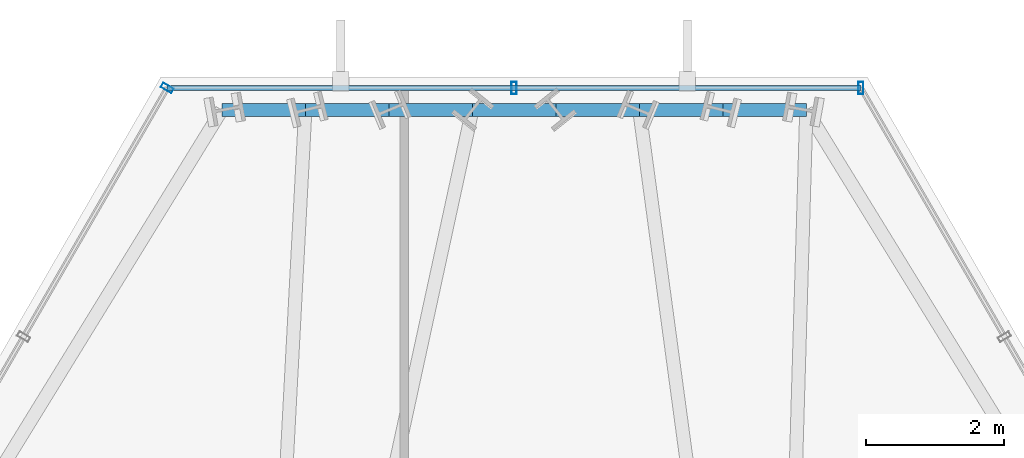
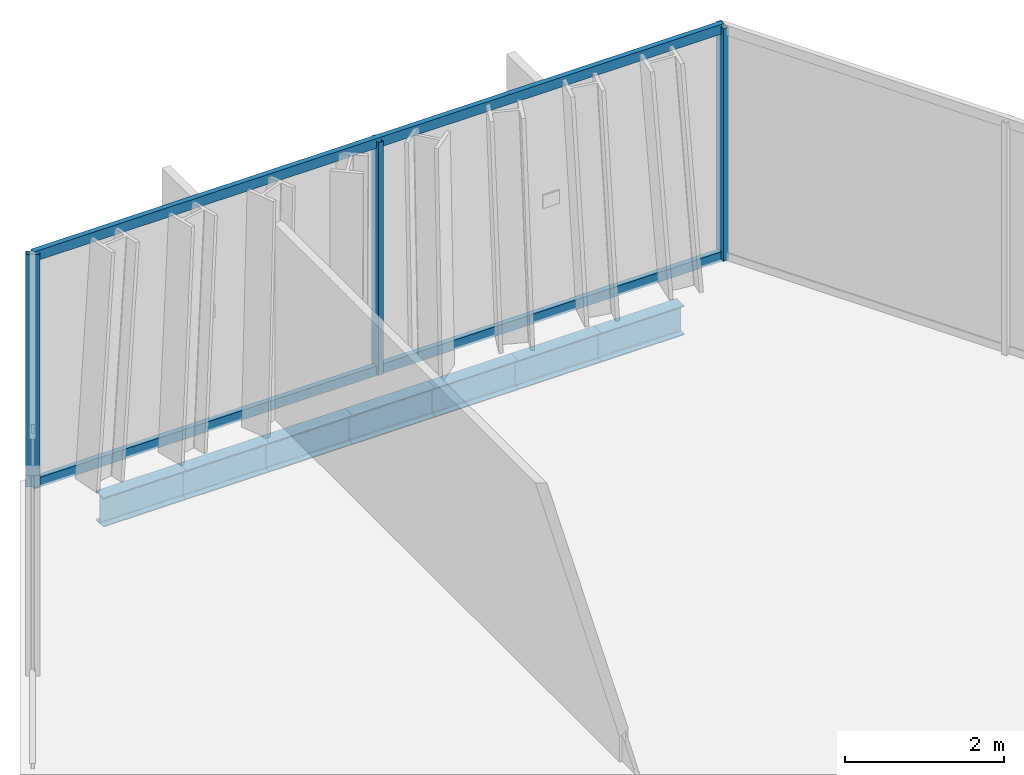
# One storey, part 25 of 35: 7 beams, 5 members, 2 elements without a shape of their own.
"""IFC4 building model written with IfcOpenShell, lengths in metres."""

from ifc_helpers import new_model, si_unit, direction, frame, origin, origin_2d, place, context, subcontext, project, spatial, hollow_rectangle, i_section, extrude, material, layer, layer_set, material_profile, profile_set, type_object, element, aggregate, save


model = new_model("IFC4")

# Units and contexts
model_context = context("Model", 3, precision=1e-05, world=origin(), true_north=direction((0.0, 1.0)))
body_context = subcontext(model_context, "Body", "Model", "MODEL_VIEW")
ifc_project = project(units=[si_unit("LENGTHUNIT", "METRE"), si_unit("AREAUNIT", "SQUARE_METRE"), si_unit("VOLUMEUNIT", "CUBIC_METRE"), si_unit("PLANEANGLEUNIT", "RADIAN"), si_unit("MASSUNIT", "GRAM", prefix="KILO")], contexts=[model_context])

# Site, building, storey
site_placement = place(None, origin())
site = spatial("IfcSite", under=ifc_project, at=site_placement, CompositionType="ELEMENT")
building_placement = place(site_placement, origin())
building = spatial("IfcBuilding", under=site, at=building_placement, Name="Ndaravel Arena Tower", CompositionType="ELEMENT")
storey_placement = place(building_placement, frame((0.0, 0.0, 180.199951171875)))
storey = spatial("IfcBuildingStorey", under=building, at=storey_placement, Name="L43", CompositionType="ELEMENT", Elevation=180.199951171875)

# Beams
ifc_material_1 = material(Name="Steel S355", Category="steel")
ifc_material_profile_1 = material_profile(ifc_material_1, i_section(OverallWidth=0.18994140625, OverallDepth=0.449951171875, WebThickness=0.009521484375, FlangeThickness=0.0146484375, FilletRadius=0.02099609375, at=origin_2d()), Name="IPE 450")
ifc_profile_set_1 = profile_set([ifc_material_profile_1], Name="Steel S355")
beam_type = type_object("IfcBeamType", Name="BM-SPAN-IPE450", PredefinedType="SPANDREL", material=ifc_profile_set_1)
for number, where, z_axis, x_axis, name in (
    (1, (46.229736328125, 45.92822265625, -0.445068359375), (-1.0, 0.0, 0.0), (0.0, -1.0, 0.0), "L43 Perimeter Spandrel Beam SP-11"),
    (2, (45.021240234375, 45.92822265625, -0.445068359375), (-1.0, 0.0, 0.0), (0.0, -1.0, 0.0), "L43 Perimeter Spandrel Beam SP-12"),
    (3, (43.812744140625, 45.92822265625, -0.445068359375), (-1.0, 0.0, 0.0), (0.0, -1.0, 0.0), "L43 Perimeter Spandrel Beam SP-13"),
    (4, (42.604248046875, 45.92822265625, -0.445068359375), (-1.0, 0.0, 0.0), (0.0, -1.0, 0.0), "L43 Perimeter Spandrel Beam SP-14"),
    (5, (41.395751953125, 45.92822265625, -0.445068359375), (-1.0, 0.0, 0.0), (0.0, -1.0, 0.0), "L43 Perimeter Spandrel Beam SP-15"),
    (6, (40.187255859375, 45.92822265625, -0.445068359375), (-1.0, 0.0, 0.0), (0.0, -1.0, 0.0), "L43 Perimeter Spandrel Beam SP-16"),
    (7, (38.978759765625, 45.92822265625, -0.445068359375), (-1.0, 0.0, 0.0), (0.0, -1.0, 0.0), "L43 Perimeter Spandrel Beam SP-17"),
):
    element("IfcBeam", number, at=place(storey_placement, frame(where, z_axis=z_axis, x_axis=x_axis)), inside=storey, type_object=beam_type, Name=name, PredefinedType="SPANDREL", context=body_context, shape_type="SweptSolid", body=[
        extrude(i_section(OverallWidth=0.18994140625, OverallDepth=0.449951171875, WebThickness=0.009521484375, FlangeThickness=0.0146484375, FilletRadius=0.02099609375, at=origin_2d()), origin(), (0.0, 0.0, 1.0), 1.20849609375),
    ])

# Curtain wall, members
ifc_material_2 = material(Name="Aluminium", Category="aluminium")
ifc_layer_1 = layer(ifc_material_2, 0.179931640625)
ifc_layer_set_1 = layer_set([ifc_layer_1], Name="Aluminium")
curtain_wall_type_1 = type_object("IfcCurtainWallType", Name="CW-SYS-01", PredefinedType="NOTDEFINED", material=ifc_layer_set_1)
curtain_wall_1_placement = place(storey_placement, origin())
curtain_wall_1 = element("IfcCurtainWall", 8, at=curtain_wall_1_placement, inside=storey, type_object=curtain_wall_type_1, Name="L43 Faceted Crystal Curtain Wall CW-L43-E04", PredefinedType="NOTDEFINED")
ifc_material_3 = material(Name="Aluminium", Category="aluminium")
ifc_material_profile_2 = material_profile(ifc_material_3, hollow_rectangle(XDim=0.074951171875, YDim=0.179931640625, WallThickness=0.00390625, at=origin_2d()), Name="CW MULLION 75x180x4")
ifc_profile_set_2 = profile_set([ifc_material_profile_2], Name="Aluminium")
member_type_1 = type_object("IfcMemberType", Name="MEM-CW-MUL180", PredefinedType="MULLION", material=ifc_profile_set_2)
member_1_placement = place(storey_placement, frame((47.018798828125, 46.248291015625, 0.0), z_axis=(0.0, 0.0, 1.0), x_axis=(-1.0, 0.0, 0.0)))
member_1 = element("IfcMember", 9, at=member_1_placement, type_object=member_type_1, Name="CW-L43-E04 Mullion 00", PredefinedType="MULLION", context=body_context, shape_type="SweptSolid", body=[
    extrude(hollow_rectangle(XDim=0.074951171875, YDim=0.179931640625, WallThickness=0.00390625, at=origin_2d()), origin(), (0.0, 0.0, 1.0), 3.580078125),
])
member_2_placement = place(storey_placement, frame((42.0, 46.248291015625, 0.0), z_axis=(0.0, 0.0, 1.0), x_axis=(-1.0, 0.0, 0.0)))
member_2 = element("IfcMember", 10, at=member_2_placement, type_object=member_type_1, Name="CW-L43-E04 Mullion 01", PredefinedType="MULLION", context=body_context, shape_type="SweptSolid", body=[
    extrude(hollow_rectangle(XDim=0.074951171875, YDim=0.179931640625, WallThickness=0.00390625, at=origin_2d()), origin(), (0.0, 0.0, 1.0), 3.580078125),
])

# Curtain wall, member
ifc_material_4 = material(Name="Aluminium", Category="aluminium")
ifc_layer_2 = layer(ifc_material_4, 0.179931640625)
ifc_layer_set_2 = layer_set([ifc_layer_2], Name="Aluminium")
curtain_wall_type_2 = type_object("IfcCurtainWallType", Name="CW-SYS-03", PredefinedType="NOTDEFINED", material=ifc_layer_set_2)
curtain_wall_2_placement = place(storey_placement, origin())
curtain_wall_2 = element("IfcCurtainWall", 11, at=curtain_wall_2_placement, inside=storey, type_object=curtain_wall_type_2, Name="L43 Faceted Crystal Curtain Wall CW-L43-E05", PredefinedType="NOTDEFINED")
member_3_placement = place(storey_placement, frame((36.981201171875, 46.248291015625, 0.0), z_axis=(0.0, 0.0, 1.0), x_axis=(-0.5, -0.866025403784, 0.0)))
member_3 = element("IfcMember", 12, at=member_3_placement, type_object=member_type_1, Name="CW-L43-E05 Mullion 00", PredefinedType="MULLION", context=body_context, shape_type="SweptSolid", body=[
    extrude(hollow_rectangle(XDim=0.074951171875, YDim=0.179931640625, WallThickness=0.00390625, at=origin_2d()), origin(), (0.0, 0.0, 1.0), 3.580078125),
])
aggregate(curtain_wall_2, [member_3])

# Member
ifc_material_5 = material(Name="Aluminium", Category="aluminium")
ifc_material_profile_3 = material_profile(ifc_material_5, hollow_rectangle(XDim=0.074951171875, YDim=0.14990234375, WallThickness=0.00390625, at=origin_2d()), Name="CW TRANSOM 75x150x4")
ifc_profile_set_3 = profile_set([ifc_material_profile_3], Name="Aluminium")
member_type_2 = type_object("IfcMemberType", Name="MEM-CW-TRN150", PredefinedType="USERDEFINED", material=ifc_profile_set_3)
member_4_placement = place(storey_placement, frame((47.018798828125, 46.248291015625, 0.0400390625), z_axis=(-1.0, 0.0, 0.0), x_axis=(0.0, -1.0, 0.0)))
member_4 = element("IfcMember", 13, at=member_4_placement, type_object=member_type_2, Name="CW-L43-E04 Transom 01", ObjectType="TRANSOM", PredefinedType="USERDEFINED", context=body_context, shape_type="SweptSolid", body=[
    extrude(hollow_rectangle(XDim=0.074951171875, YDim=0.14990234375, WallThickness=0.00390625, at=origin_2d()), origin(), (0.0, 0.0, 1.0), 10.03759765625),
])

member_5_placement = place(storey_placement, frame((47.018798828125, 46.248291015625, 3.5400390625), z_axis=(-1.0, 0.0, 0.0), x_axis=(0.0, -1.0, 0.0)))
member_5 = element("IfcMember", 14, at=member_5_placement, type_object=member_type_2, Name="CW-L43-E04 Transom 02", ObjectType="TRANSOM", PredefinedType="USERDEFINED", context=body_context, shape_type="SweptSolid", body=[
    extrude(hollow_rectangle(XDim=0.074951171875, YDim=0.14990234375, WallThickness=0.00390625, at=origin_2d()), origin(), (0.0, 0.0, 1.0), 10.03759765625),
])

aggregate(curtain_wall_1, [member_1, member_2, member_4, member_5])

save(model, "model.ifc")
